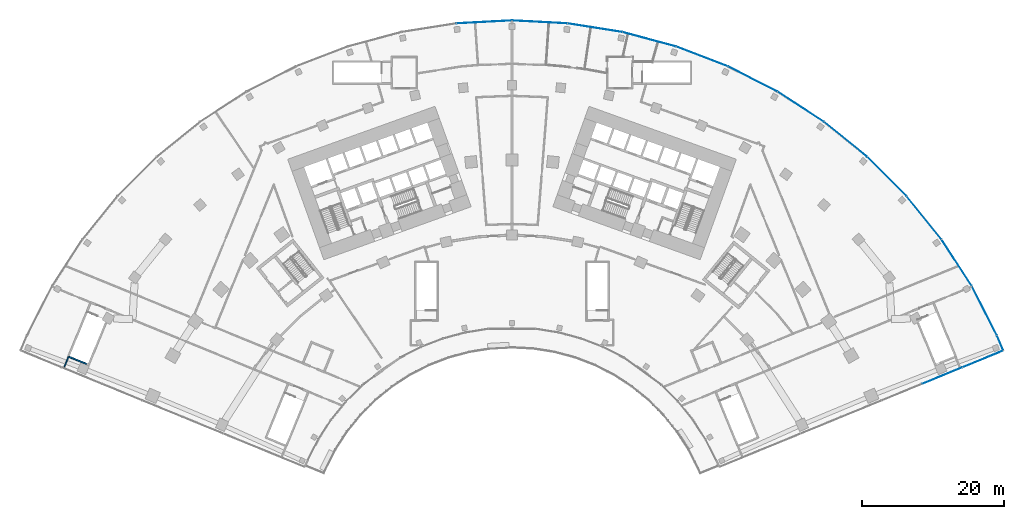
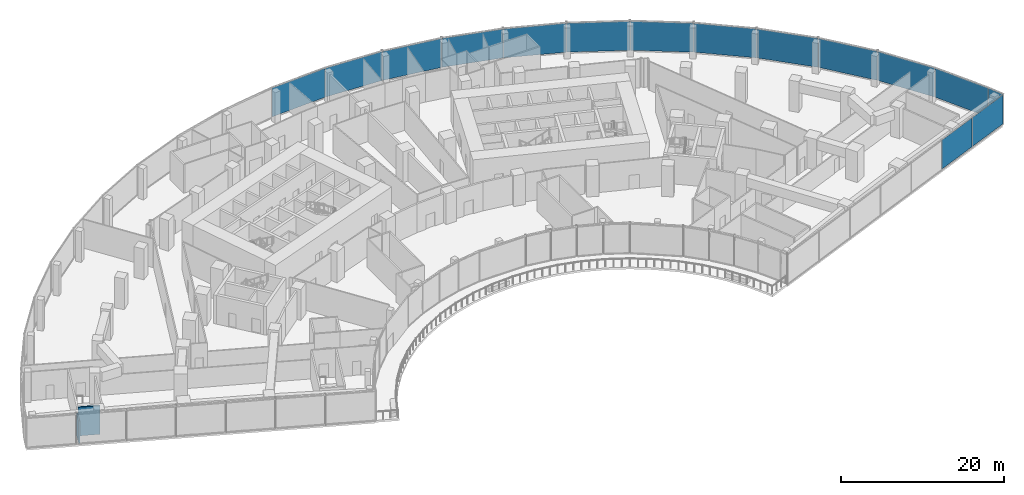
# One storey, part 21 of 33: 15 plates, 2 walls, 2 elements without a shape of their own.
"""IFC4 building model written with IfcOpenShell, lengths in metres."""

from ifc_helpers import new_model, si_unit, direction, frame, frame_2d, origin, origin_2d, place, context, subcontext, project, spatial, rectangle, extrude, material, layer, layer_set, type_object, element, aggregate, save


model = new_model("IFC4")

# Units and contexts
model_context = context("Model", 3, precision=1e-05, world=origin(), true_north=direction((0.0, 1.0)))
body_context = subcontext(model_context, "Body", "Model", "MODEL_VIEW")
ifc_project = project(units=[si_unit("LENGTHUNIT", "METRE"), si_unit("AREAUNIT", "SQUARE_METRE"), si_unit("VOLUMEUNIT", "CUBIC_METRE"), si_unit("PLANEANGLEUNIT", "RADIAN"), si_unit("MASSUNIT", "GRAM", prefix="KILO")], contexts=[model_context])

# Site, building, storey
site_placement = place(None, origin())
site = spatial("IfcSite", under=ifc_project, at=site_placement, CompositionType="ELEMENT")
building_placement = place(site_placement, origin())
building = spatial("IfcBuilding", under=site, at=building_placement, Name="Stone Belt Terrace Tower", CompositionType="ELEMENT")
storey_placement = place(building_placement, frame((0.0, 0.0, 25.39990234375)))
storey = spatial("IfcBuildingStorey", under=building, at=storey_placement, Name="L05", CompositionType="ELEMENT", Elevation=25.39990234375)

# Curtain wall, plates
ifc_material_1 = material(Name="Aluminium 6063-T6 anodised frame", Category="aluminium")
ifc_layer_1 = layer(ifc_material_1, 0.14990234375)
ifc_layer_set_1 = layer_set([ifc_layer_1], Name="CW-D podium shopfront")
curtain_wall_type = type_object("IfcCurtainWallType", Name="CW-D podium shopfront", PredefinedType="NOTDEFINED", material=ifc_layer_set_1)
curtain_wall_1_placement = place(storey_placement, origin())
curtain_wall_1 = element("IfcCurtainWall", 1, at=curtain_wall_1_placement, inside=storey, type_object=curtain_wall_type, Name="CW-D end face L05", PredefinedType="NOTDEFINED")
ifc_material_2 = material(Name="Clear double glazed unit")
ifc_layer_2 = layer(ifc_material_2, 0.031982421875)
ifc_layer_set_2 = layer_set([ifc_layer_2], Name="CW-D glass panel 32")
plate_type = type_object("IfcPlateType", Name="CW-D glass panel 32", PredefinedType="CURTAIN_PANEL", material=ifc_layer_set_2)
plate_1_placement = place(storey_placement, frame((60.43701171875, 24.689697265625, 0.14013671875), z_axis=(0.0, 0.0, 1.0), x_axis=(0.925297074342, 0.379243093825, 0.0)))
plate_1 = element("IfcPlate", 2, at=plate_1_placement, type_object=plate_type, Name="CW-D panel 6.1", PredefinedType="CURTAIN_PANEL", context=body_context, shape_type="SweptSolid", body=[
    extrude(rectangle(XDim=6.082763671875, YDim=0.031982421875, at=origin_2d()), origin(), (0.0, 0.0, 1.0), 4.320068359375),
])
plate_2_placement = place(storey_placement, frame((66.1357421875, 27.025390625, 0.14013671875), z_axis=(0.0, 0.0, 1.0), x_axis=(0.925297074342, 0.379243093825, 0.0)))
plate_2 = element("IfcPlate", 3, at=plate_2_placement, type_object=plate_type, Name="CW-D panel 7.1", PredefinedType="CURTAIN_PANEL", context=body_context, shape_type="SweptSolid", body=[
    extrude(rectangle(XDim=6.114501953125, YDim=0.031982421875, at=origin_2d()), origin(), (0.0, 0.0, 1.0), 4.320068359375),
])
aggregate(curtain_wall_1, [plate_1, plate_2])

curtain_wall_2_placement = place(storey_placement, origin())
curtain_wall_2 = element("IfcCurtainWall", 4, at=curtain_wall_2_placement, inside=storey, type_object=curtain_wall_type, Name="CW-D convex face L05", PredefinedType="NOTDEFINED")
plate_3_placement = place(storey_placement, frame((68.572021484375, 29.292724609375, 0.14013671875), z_axis=(0.0, 0.0, 1.0), x_axis=(-0.393033792222, 0.919524028056, 0.0)))
plate_3 = element("IfcPlate", 5, at=plate_3_placement, type_object=plate_type, Name="CW-D panel 1.1", PredefinedType="CURTAIN_PANEL", context=body_context, shape_type="SweptSolid", body=[
    extrude(rectangle(XDim=2.19921875, YDim=0.031982421875, at=origin_2d()), origin(), (0.0, 0.0, 1.0), 4.320068359375),
])
plate_4_placement = place(storey_placement, frame((66.355712890625, 33.81005859375, 0.14013671875), z_axis=(0.0, 0.0, 1.0), x_axis=(-0.45399049974, 0.891006524188, 0.0)))
plate_4 = element("IfcPlate", 6, at=plate_4_placement, type_object=plate_type, Name="CW-D panel 2.1", PredefinedType="CURTAIN_PANEL", context=body_context, shape_type="SweptSolid", body=[
    extrude(rectangle(XDim=7.738037109375, YDim=0.031982421875, at=origin_2d()), origin(), (0.0, 0.0, 1.0), 4.320068359375),
])
plate_5_placement = place(storey_placement, frame((62.458251953125, 40.560791015625, 0.14013671875), z_axis=(0.0, 0.0, 1.0), x_axis=(-0.544639035015, 0.838670567945, 0.0)))
plate_5 = element("IfcPlate", 7, at=plate_5_placement, type_object=plate_type, Name="CW-D panel 3.1", PredefinedType="CURTAIN_PANEL", context=body_context, shape_type="SweptSolid", body=[
    extrude(rectangle(XDim=7.738037109375, YDim=0.031982421875, at=origin_2d()), origin(), (0.0, 0.0, 1.0), 4.320068359375),
])
plate_6_placement = place(storey_placement, frame((57.876220703125, 46.867431640625, 0.14013671875), z_axis=(0.0, 0.0, 1.0), x_axis=(-0.62932039105, 0.777145961457, 0.0)))
plate_6 = element("IfcPlate", 8, at=plate_6_placement, type_object=plate_type, Name="CW-D panel 4.1", PredefinedType="CURTAIN_PANEL", context=body_context, shape_type="SweptSolid", body=[
    extrude(rectangle(XDim=7.738037109375, YDim=0.031982421875, at=origin_2d()), origin(), (0.0, 0.0, 1.0), 4.320068359375),
])
plate_7_placement = place(storey_placement, frame((52.660400390625, 52.660400390625, 0.14013671875), z_axis=(0.0, 0.0, 1.0), x_axis=(-0.707106781187, 0.707106781187, 0.0)))
plate_7 = element("IfcPlate", 9, at=plate_7_placement, type_object=plate_type, Name="CW-D panel 5.1", PredefinedType="CURTAIN_PANEL", context=body_context, shape_type="SweptSolid", body=[
    extrude(rectangle(XDim=7.738037109375, YDim=0.031982421875, at=origin_2d()), origin(), (0.0, 0.0, 1.0), 4.320068359375),
])
plate_8_placement = place(storey_placement, frame((46.867431640625, 57.876220703125, 0.14013671875), z_axis=(0.0, 0.0, 1.0), x_axis=(-0.777145961457, 0.62932039105, 0.0)))
plate_8 = element("IfcPlate", 10, at=plate_8_placement, type_object=plate_type, Name="CW-D panel 6.1", PredefinedType="CURTAIN_PANEL", context=body_context, shape_type="SweptSolid", body=[
    extrude(rectangle(XDim=7.738037109375, YDim=0.031982421875, at=origin_2d()), origin(), (0.0, 0.0, 1.0), 4.320068359375),
])
plate_9_placement = place(storey_placement, frame((40.560791015625, 62.458251953125, 0.14013671875), z_axis=(0.0, 0.0, 1.0), x_axis=(-0.838670567945, 0.544639035015, 0.0)))
plate_9 = element("IfcPlate", 11, at=plate_9_placement, type_object=plate_type, Name="CW-D panel 7.1", PredefinedType="CURTAIN_PANEL", context=body_context, shape_type="SweptSolid", body=[
    extrude(rectangle(XDim=7.738037109375, YDim=0.031982421875, at=origin_2d()), origin(), (0.0, 0.0, 1.0), 4.320068359375),
])
plate_10_placement = place(storey_placement, frame((33.81005859375, 66.35595703125, 0.14013671875), z_axis=(0.0, 0.0, 1.0), x_axis=(-0.891006524188, 0.45399049974, 0.0)))
plate_10 = element("IfcPlate", 12, at=plate_10_placement, type_object=plate_type, Name="CW-D panel 8.1", PredefinedType="CURTAIN_PANEL", context=body_context, shape_type="SweptSolid", body=[
    extrude(rectangle(XDim=7.738037109375, YDim=0.031982421875, at=origin_2d()), origin(), (0.0, 0.0, 1.0), 4.320068359375),
])
plate_11_placement = place(storey_placement, frame((26.688720703125, 69.5263671875, 0.14013671875), z_axis=(0.0, 0.0, 1.0), x_axis=(-0.933580426497, 0.358367949545, 0.0)))
plate_11 = element("IfcPlate", 13, at=plate_11_placement, type_object=plate_type, Name="CW-D panel 9.1", PredefinedType="CURTAIN_PANEL", context=body_context, shape_type="SweptSolid", body=[
    extrude(rectangle(XDim=7.738037109375, YDim=0.031982421875, at=origin_2d()), origin(), (0.0, 0.0, 1.0), 4.320068359375),
])
plate_12_placement = place(storey_placement, frame((19.27490234375, 71.935302734375, 0.14013671875), z_axis=(0.0, 0.0, 1.0), x_axis=(-0.965925826289, 0.258819045103, 0.0)))
plate_12 = element("IfcPlate", 14, at=plate_12_placement, type_object=plate_type, Name="CW-D panel 10.1", PredefinedType="CURTAIN_PANEL", context=body_context, shape_type="SweptSolid", body=[
    extrude(rectangle(XDim=7.738037109375, YDim=0.031982421875, at=origin_2d()), origin(), (0.0, 0.0, 1.0), 4.320068359375),
])
plate_13_placement = place(storey_placement, frame((11.650146484375, 73.555908203125, 0.14013671875), z_axis=(0.0, 0.0, 1.0), x_axis=(-0.987688340595, 0.15643446504, 0.0)))
plate_13 = element("IfcPlate", 15, at=plate_13_placement, type_object=plate_type, Name="CW-D panel 11.1", PredefinedType="CURTAIN_PANEL", context=body_context, shape_type="SweptSolid", body=[
    extrude(rectangle(XDim=7.738037109375, YDim=0.031982421875, at=origin_2d()), origin(), (0.0, 0.0, 1.0), 4.320068359375),
])
plate_14_placement = place(storey_placement, frame((3.897705078125, 74.370849609375, 0.14013671875), z_axis=(0.0, 0.0, 1.0), x_axis=(-0.998629534755, 0.052335956243, 0.0)))
plate_14 = element("IfcPlate", 16, at=plate_14_placement, type_object=plate_type, Name="CW-D panel 12.1", PredefinedType="CURTAIN_PANEL", context=body_context, shape_type="SweptSolid", body=[
    extrude(rectangle(XDim=7.738037109375, YDim=0.031982421875, at=origin_2d()), origin(), (0.0, 0.0, 1.0), 4.320068359375),
])
plate_15_placement = place(storey_placement, frame((-3.897705078125, 74.370849609375, 0.14013671875), z_axis=(0.0, 0.0, 1.0), x_axis=(-0.998629534755, -0.052335956243, 0.0)))
plate_15 = element("IfcPlate", 17, at=plate_15_placement, type_object=plate_type, Name="CW-D panel 13.1", PredefinedType="CURTAIN_PANEL", context=body_context, shape_type="SweptSolid", body=[
    extrude(rectangle(XDim=7.738037109375, YDim=0.031982421875, at=origin_2d()), origin(), (0.0, 0.0, 1.0), 4.320068359375),
])
aggregate(curtain_wall_2, [plate_3, plate_4, plate_5, plate_6, plate_7, plate_8, plate_9, plate_10, plate_11, plate_12, plate_13, plate_14, plate_15])

# Walls
ifc_material_3 = material(Name="Gypsum board on steel stud partition", Category="steel")
ifc_layer_3 = layer(ifc_material_3, 0.14990234375)
ifc_layer_set_3 = layer_set([ifc_layer_3], Name="Podium partition 150")
wall_type_1 = type_object("IfcWallType", Name="Podium partition 150", PredefinedType="PARTITIONING", material=ifc_layer_set_3)
wall_1_placement = place(storey_placement, frame((-62.93994140625, 25.800048828125, 0.0), z_axis=(0.0, 0.0, 1.0), x_axis=(0.377466142262, 0.926023386015, 0.0)))
element("IfcWall", 18, at=wall_1_placement, inside=storey, type_object=wall_type_1, Name="Podium partition 150", PredefinedType="PARTITIONING", context=body_context, shape_type="SweptSolid", body=[
    extrude(rectangle(XDim=1.6953125, YDim=0.14990234375, at=frame_2d((0.84765625, 0.0))), origin(), (0.0, 0.0, 1.0), 3.380126953125),
])
ifc_material_4 = material(Name="Concrete B30", Category="concrete")
ifc_layer_4 = layer(ifc_material_4, 0.199951171875)
ifc_layer_set_4 = layer_set([ifc_layer_4], Name="Podium stair and shaft wall 200")
wall_type_2 = type_object("IfcWallType", Name="Podium stair and shaft wall 200", PredefinedType="SOLIDWALL", material=ifc_layer_set_4)
wall_2_placement = place(storey_placement, frame((-62.20751953125, 27.33203125, 0.0), z_axis=(0.0, 0.0, 1.0), x_axis=(0.924825245406, -0.380392252102, 0.0)))
element("IfcWall", 19, at=wall_2_placement, inside=storey, type_object=wall_type_2, Name="Podium stair and shaft wall 200", PredefinedType="SOLIDWALL", context=body_context, shape_type="SweptSolid", body=[
    extrude(rectangle(XDim=2.678955078125, YDim=0.199951171875, at=frame_2d((1.33935546875, 0.0))), origin(), (0.0, 0.0, 1.0), 4.280029296875),
])

save(model, "model.ifc")
